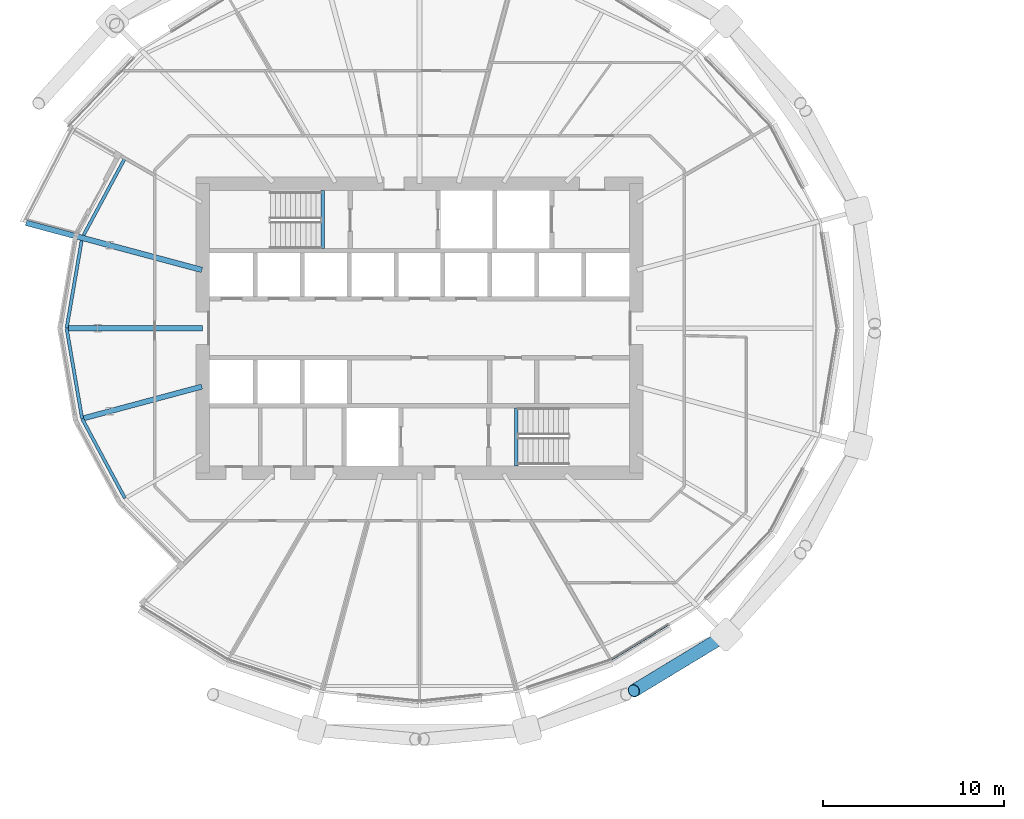
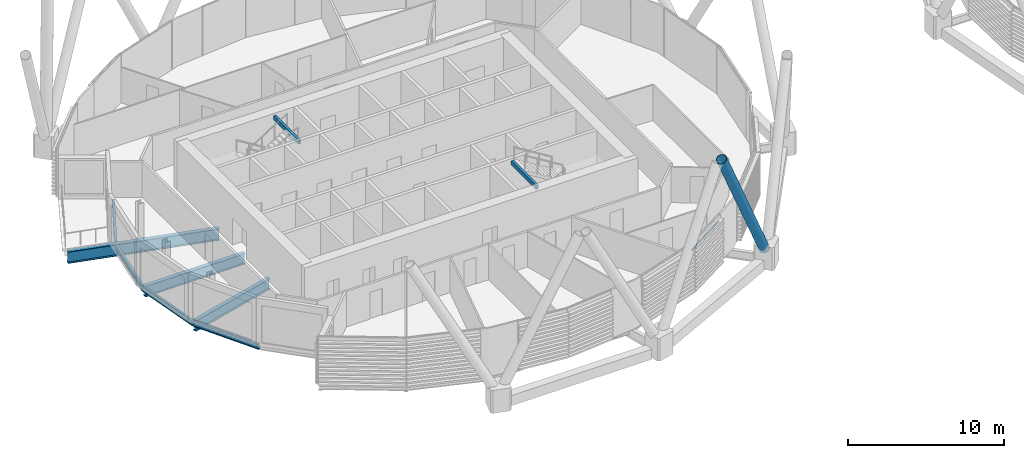
# One storey, part 5 of 39: 9 beams, 2 members, 1 element without a shape of its own.
"""IFC4 building model written with IfcOpenShell, lengths in metres."""

import ifcopenshell
import ifcopenshell.guid

model = None  # the IFC model being written
_history = None  # IfcOwnerHistory: only IFC2X3 demands one
_inside = {}  # id of a spatial element -> (the spatial element, [elements in it])
_under = {}  # id of a project, library or spatial element -> (it, [spatial elements below it])
_declared = {}  # id of a project -> (the project, [libraries it declares])
_typed = {}  # id of a type object -> (the type object, [elements of that type])
_made_of = {}  # id of a material, layer set ... -> (it, [elements and type objects made of it])


def new_model(schema):
    """Start an empty IFC model of exactly this schema.

    Asked for "IFC4X3", IfcOpenShell would pick the latest addendum, in which some entities
    have other attributes; the version numbers below select the first issue.
    IFC2X3 requires an IfcOwnerHistory on every rooted entity: one is made here for all.
    """
    global model, _history
    if schema == "IFC4X3":
        model = ifcopenshell.file(schema_version=(4, 3, 0, 0))
    else:
        model = ifcopenshell.file(schema=schema)
    _inside.clear()
    _under.clear()
    _declared.clear()
    _typed.clear()
    _made_of.clear()
    _history = None
    if model.schema == "IFC2X3":
        org = make("IfcOrganization", Name="unknown")
        user = make(
            "IfcPersonAndOrganization",
            ThePerson=make("IfcPerson", FamilyName="unknown"),
            TheOrganization=org,
        )
        app = make(
            "IfcApplication",
            ApplicationDeveloper=org,
            Version="unknown",
            ApplicationFullName="unknown",
            ApplicationIdentifier="unknown",
        )
        _history = make(
            "IfcOwnerHistory",
            OwningUser=user,
            OwningApplication=app,
            ChangeAction="ADDED",
            CreationDate=0,
        )
    return model


def make(cls, **values):
    """One entity of the class cls with the attributes given. An attribute that is None is left unset."""
    return model.create_entity(
        cls, **{name: value for name, value in values.items() if value is not None}
    )


def rooted(cls, **values):
    """An entity with a GlobalId (a new one), such as an element, a storey or a relation."""
    return make(cls, GlobalId=ifcopenshell.guid.new(), OwnerHistory=_history, **values)


def si_unit(unit_type, name, prefix=None):
    """IfcSIUnit, for example si_unit("LENGTHUNIT", "METRE", prefix="MILLI")."""
    return make("IfcSIUnit", UnitType=unit_type, Prefix=prefix, Name=name)


def assignment(units):
    """IfcUnitAssignment: the units of a project."""
    return None if units is None else make("IfcUnitAssignment", Units=units)


def point(xyz):
    """IfcCartesianPoint."""
    return None if xyz is None else make("IfcCartesianPoint", Coordinates=xyz)


def direction(xyz):
    """IfcDirection."""
    return None if xyz is None else make("IfcDirection", DirectionRatios=xyz)


def frame(location, z_axis=None, x_axis=None):
    """IfcAxis2Placement3D, a coordinate frame: its origin and axes. An axis left out is left unset."""
    return make(
        "IfcAxis2Placement3D",
        Location=point(location),
        Axis=direction(z_axis),
        RefDirection=direction(x_axis),
    )


def frame_2d(location, x_axis=None):
    """IfcAxis2Placement2D, a coordinate frame in the plane: its origin and x axis."""
    return make(
        "IfcAxis2Placement2D", Location=point(location), RefDirection=direction(x_axis)
    )


def origin():
    """The frame at (0, 0, 0) with its axes left unset."""
    return frame((0.0, 0.0, 0.0))


def origin_2d():
    """The frame at (0, 0) in the plane with its x axis left unset."""
    return frame_2d((0.0, 0.0))


def place(relative_to, where):
    """IfcLocalPlacement: puts the frame where relative to a parent placement (None: the world)."""
    return make(
        "IfcLocalPlacement", PlacementRelTo=relative_to, RelativePlacement=where
    )


def context(
    kind, dimensions, precision=None, world=None, true_north=None, identifier=None
):
    """IfcGeometricRepresentationContext, for example the 3D "Model" context."""
    return make(
        "IfcGeometricRepresentationContext",
        ContextIdentifier=identifier,
        ContextType=kind,
        CoordinateSpaceDimension=dimensions,
        Precision=precision,
        WorldCoordinateSystem=world,
        TrueNorth=true_north,
    )


def subcontext(parent, identifier, kind, view, scale=None):
    """IfcGeometricRepresentationSubContext, for example "Body" below "Model"."""
    return make(
        "IfcGeometricRepresentationSubContext",
        ContextIdentifier=identifier,
        ContextType=kind,
        ParentContext=parent,
        TargetScale=scale,
        TargetView=view,
    )


def project(units=None, contexts=None):
    """IfcProject with its units and contexts."""
    return rooted(
        "IfcProject",
        Name="project",
        RepresentationContexts=contexts,
        UnitsInContext=assignment(units),
    )


def spatial(cls, under=None, at=None, **own):
    """A site, building, storey or space (cls), placed at a placement, below another one or the project."""
    s = rooted(cls, ObjectPlacement=at, **own)
    if under is not None:
        _under.setdefault(under.id(), (under, []))[1].append(s)
    return s


def profile(cls, at=None, kind="AREA", **sizes):
    """A parametric profile (cls). Its sizes go by their IFC names, for example OverallWidth=200.0."""
    return make(cls, ProfileType=kind, Position=at, **sizes)


def rectangle(**sizes):
    """IfcRectangleProfileDef."""
    return profile("IfcRectangleProfileDef", **sizes)


def hollow_rectangle(**sizes):
    """IfcRectangleHollowProfileDef."""
    return profile("IfcRectangleHollowProfileDef", **sizes)


def hollow_circle(**sizes):
    """IfcCircleHollowProfileDef."""
    return profile("IfcCircleHollowProfileDef", **sizes)


def i_section(**sizes):
    """IfcIShapeProfileDef."""
    return profile("IfcIShapeProfileDef", **sizes)


def extrude(swept, where, along, depth):
    """IfcExtrudedAreaSolid: the profile swept, set in the frame where, extruded along a direction by depth."""
    return make(
        "IfcExtrudedAreaSolid",
        SweptArea=swept,
        Position=where,
        ExtrudedDirection=direction(along),
        Depth=depth,
    )


def shape(context_of_items, identifier, shape_type, items):
    """IfcShapeRepresentation: the items that make up one representation, for example the "Body"."""
    return make(
        "IfcShapeRepresentation",
        ContextOfItems=context_of_items,
        RepresentationIdentifier=identifier,
        RepresentationType=shape_type,
        Items=items,
    )


def material(Name=None, Category=None):
    """IfcMaterial."""
    return make("IfcMaterial", Name=Name, Category=Category)


def material_profile(
    of_material, cross_section, Name=None, Category=None, Priority=None
):
    """IfcMaterialProfile: a cross section and its material."""
    return make(
        "IfcMaterialProfile",
        Name=Name,
        Material=of_material,
        Profile=cross_section,
        Priority=Priority,
        Category=Category,
    )


def profile_set(profiles, Name=None, composite=None):
    """IfcMaterialProfileSet."""
    return make(
        "IfcMaterialProfileSet",
        Name=Name,
        MaterialProfiles=profiles,
        CompositeProfile=composite,
    )


def made_of(thing, what):
    """Note that an element or type object is made of a material, layer set ...; save() writes the relation."""
    if what is not None:
        _made_of.setdefault(what.id(), (what, []))[1].append(thing)
    return thing


def type_object(cls, material=None, **own):
    """A type object (cls), such as IfcWallType, which elements share."""
    return made_of(rooted(cls, **own), material)


def element(
    cls,
    number,
    at=None,
    inside=None,
    cuts=None,
    type_object=None,
    material=None,
    context=None,
    identifier="Body",
    shape_type=None,
    held_by="IfcProductDefinitionShape",
    body=None,
    shapes=None,
    **own,
):
    """One element of the class cls, such as IfcWall. Its Tag is "e" and its number.

    at: its placement. inside: the storey or other place that contains it. cuts: it is an
    opening in that element (IfcRelVoidsElement). A single representation is given by context,
    identifier, shape_type and body (its items); several are given by shapes. held_by: the class
    of the entity that holds the representations. save() writes the other relations.
    """
    e = rooted(cls, Tag="e%d" % number, ObjectPlacement=at, **own)
    if body is not None:
        shapes = [shape(context, identifier, shape_type, body)]
    if shapes is not None:
        e.Representation = make(held_by, Representations=shapes)
    if inside is not None:
        _inside.setdefault(inside.id(), (inside, []))[1].append(e)
    if cuts is not None:
        rooted(
            "IfcRelVoidsElement", RelatingBuildingElement=cuts, RelatedOpeningElement=e
        )
    if type_object is not None:
        _typed.setdefault(type_object.id(), (type_object, []))[1].append(e)
    return made_of(e, material)


def aggregate(whole, parts):
    """IfcRelAggregates: a whole, such as a stair, and the parts it consists of."""
    return rooted("IfcRelAggregates", RelatingObject=whole, RelatedObjects=parts)


def save(model, path):
    """Write the relations noted so far, then the file.

    IfcRelAggregates (storeys below a building ...), IfcRelContainedInSpatialStructure (elements
    in a storey), IfcRelDefinesByType, IfcRelAssociatesMaterial and IfcRelDeclares: one each for
    every whole, place, type object, material and project.
    """
    for whole, parts in _under.values():
        aggregate(whole, parts)
    for where, things in _inside.values():
        rooted(
            "IfcRelContainedInSpatialStructure",
            RelatedElements=things,
            RelatingStructure=where,
        )
    for kind, things in _typed.values():
        rooted("IfcRelDefinesByType", RelatedObjects=things, RelatingType=kind)
    for what, things in _made_of.values():
        rooted("IfcRelAssociatesMaterial", RelatedObjects=things, RelatingMaterial=what)
    for by, libraries in _declared.values():
        rooted("IfcRelDeclares", RelatingContext=by, RelatedDefinitions=libraries)
    model.write(path)


model = new_model("IFC4")

# Units and contexts
model_context = context("Model", 3, precision=1e-05, world=origin(), true_north=direction((0.0, 1.0)))
body_context = subcontext(model_context, "Body", "Model", "MODEL_VIEW")
ifc_project = project(units=[si_unit("LENGTHUNIT", "METRE"), si_unit("AREAUNIT", "SQUARE_METRE"), si_unit("VOLUMEUNIT", "CUBIC_METRE"), si_unit("PLANEANGLEUNIT", "RADIAN"), si_unit("MASSUNIT", "GRAM", prefix="KILO")], contexts=[model_context])

# Site, building, storey
site_placement = place(None, origin())
site = spatial("IfcSite", under=ifc_project, at=site_placement, CompositionType="ELEMENT")
building_placement = place(site_placement, origin())
building = spatial("IfcBuilding", under=site, at=building_placement, Name="Rimbun Link Towers", CompositionType="ELEMENT")
storey_placement = place(building_placement, frame((0.0, 0.0, 115.800048828125)))
storey = spatial("IfcBuildingStorey", under=building, at=storey_placement, Name="L28", CompositionType="ELEMENT", Elevation=115.800048828125)

# Curtain wall, member
ifc_material_1 = material(Name="Aluminium 6063-T6 and low-iron glass", Category="aluminium")
curtain_wall_type = type_object("IfcCurtainWallType", Name="CW1-Z2 unitised vision wall (zone 2)", PredefinedType="NOTDEFINED", material=ifc_material_1)
curtain_wall_placement = place(storey_placement, origin())
curtain_wall = element("IfcCurtainWall", 1, at=curtain_wall_placement, inside=storey, type_object=curtain_wall_type, Name="CW1 L28 T1", PredefinedType="NOTDEFINED")
ifc_material_2 = material(Name="Aluminium 6063-T6", Category="aluminium")
ifc_material_profile_1 = material_profile(ifc_material_2, rectangle(XDim=0.06005859375, YDim=0.1201171875, at=origin_2d()), Name="TRANSOM 60X120")
ifc_profile_set_1 = profile_set([ifc_material_profile_1], Name="Aluminium 6063-T6")
member_type_1 = type_object("IfcMemberType", Name="CW1 transom 60X120", PredefinedType="USERDEFINED", material=ifc_profile_set_1)
member_1_placement = place(storey_placement, frame((-17.998779296875, -16.4248046875, 3.199951171875), z_axis=(-0.852165495326, -0.523272365576, 0.0), x_axis=(0.523272365576, -0.852165495326, 0.0)))
member_1 = element("IfcMember", 2, at=member_1_placement, type_object=member_type_1, Name="CW1 transom", ObjectType="TRANSOM", PredefinedType="USERDEFINED", context=body_context, shape_type="SweptSolid", body=[
    extrude(rectangle(XDim=0.06005859375, YDim=0.1201171875, at=origin_2d()), origin(), (0.0, 0.0, 1.0), 3.666259765625),
])
aggregate(curtain_wall, [member_1])

# Member
ifc_material_3 = material(Name="Steel S460NH", Category="steel")
ifc_material_profile_2 = material_profile(ifc_material_3, hollow_circle(Radius=0.355712890625, WallThickness=0.031982421875, at=origin_2d()), Name="Diagrid diagonal CHS 711x32")
ifc_profile_set_2 = profile_set([ifc_material_profile_2], Name="Steel S460NH")
member_type_2 = type_object("IfcMemberType", Name="Diagrid diagonal CHS 711x32", PredefinedType="BRACE", material=ifc_profile_set_2)
member_2_placement = place(storey_placement, frame((-14.997802734375, -17.08056640625, 0.43896484375), z_axis=(-0.408995593079, -0.247871177032, 0.878226898038), x_axis=(0.518294161514, -0.855202410041, 0.0)))
element("IfcMember", 3, at=member_2_placement, inside=storey, type_object=member_type_2, Name="Diagrid diagonal T1 L28-L31 21a", PredefinedType="BRACE", context=body_context, shape_type="SweptSolid", body=[
    extrude(hollow_circle(Radius=0.355712890625, WallThickness=0.031982421875, at=origin_2d()), origin(), (0.0, 0.0, 1.0), 11.98095703125),
])

# Beams
ifc_material_4 = material(Name="Steel S355J2", Category="steel")
ifc_material_profile_3 = material_profile(ifc_material_4, hollow_rectangle(XDim=0.199951171875, YDim=0.300048828125, WallThickness=0.011962890625, at=origin_2d()), Name="BOX 300x200x12")
ifc_profile_set_3 = profile_set([ifc_material_profile_3], Name="Steel S355J2")
beam_type_1 = type_object("IfcBeamType", Name="Stair trimmer beam BOX 300x200x12", PredefinedType="BEAM", material=ifc_profile_set_3)
for number, where, z_axis, x_axis, name in (
    (4, (-37.10009765625, 7.625, 3.489990234375), (0.0, -1.0, 0.0), (1.0, 0.0, 0.0), "L28 ST1 stair beam 1"),
    (5, (-26.39990234375, -7.625, 3.489990234375), (0.0, 1.0, 0.0), (-1.0, 0.0, 0.0), "L28 ST2 stair beam 1"),
):
    element("IfcBeam", number, at=place(storey_placement, frame(where, z_axis=z_axis, x_axis=x_axis)), inside=storey, type_object=beam_type_1, Name=name, PredefinedType="BEAM", context=body_context, shape_type="SweptSolid", body=[
        extrude(hollow_rectangle(XDim=0.199951171875, YDim=0.300048828125, WallThickness=0.011962890625, at=origin_2d()), origin(), (0.0, 0.0, 1.0), 3.22509765625),
    ])
ifc_material_5 = material(Name="Steel S355J2", Category="steel")
ifc_material_profile_4 = material_profile(ifc_material_5, i_section(OverallWidth=0.177978515625, OverallDepth=0.406494140625, WebThickness=0.0078125, FlangeThickness=0.0126953125, at=origin_2d()), Name="UB 406x178x60")
ifc_profile_set_4 = profile_set([ifc_material_profile_4], Name="Steel S355J2")
beam_type_2 = type_object("IfcBeamType", Name="UB 406x178x60", PredefinedType="BEAM", material=ifc_profile_set_4)
beam_1_placement = place(storey_placement, frame((-48.060302734375, 9.371337890625, -0.36328125), z_axis=(-0.473752882927, -0.880657825673, 0.0), x_axis=(0.880657825673, -0.473752882927, 0.0)))
element("IfcBeam", 6, at=beam_1_placement, inside=storey, type_object=beam_type_2, Name="Edge beam T1 L28 10 recess", PredefinedType="BEAM", context=body_context, shape_type="SweptSolid", body=[
    extrude(i_section(OverallWidth=0.177978515625, OverallDepth=0.406494140625, WebThickness=0.0078125, FlangeThickness=0.0126953125, at=origin_2d()), origin(), (0.0, 0.0, 1.0), 4.784423828125),
])
beam_2_placement = place(storey_placement, frame((-50.439208984375, 4.840087890625, -0.36328125), z_axis=(-0.168660581772, -0.985674189657, 0.0), x_axis=(0.985674189657, -0.168660581772, 0.0)))
element("IfcBeam", 7, at=beam_2_placement, inside=storey, type_object=beam_type_2, Name="Edge beam T1 L28 11 recess", PredefinedType="BEAM", context=body_context, shape_type="SweptSolid", body=[
    extrude(i_section(OverallWidth=0.177978515625, OverallDepth=0.406494140625, WebThickness=0.0078125, FlangeThickness=0.0126953125, at=origin_2d()), origin(), (0.0, 0.0, 1.0), 4.89404296875),
])
beam_3_placement = place(storey_placement, frame((-51.2646484375, -0.01611328125, -0.36328125), z_axis=(0.168677498166, -0.985671294911, 0.0), x_axis=(0.985671294911, 0.168677498166, 0.0)))
element("IfcBeam", 8, at=beam_3_placement, inside=storey, type_object=beam_type_2, Name="Edge beam T1 L28 12 recess", PredefinedType="BEAM", context=body_context, shape_type="SweptSolid", body=[
    extrude(i_section(OverallWidth=0.177978515625, OverallDepth=0.406494140625, WebThickness=0.0078125, FlangeThickness=0.0126953125, at=origin_2d()), origin(), (0.0, 0.0, 1.0), 5.041259765625),
])
beam_4_placement = place(storey_placement, frame((-50.404296875, -5.01416015625, -0.36328125), z_axis=(0.473798255027, -0.880633416089, 0.0), x_axis=(0.880633416089, 0.473798255027, 0.0)))
element("IfcBeam", 9, at=beam_4_placement, inside=storey, type_object=beam_type_2, Name="Edge beam T1 L28 13 recess", PredefinedType="BEAM", context=body_context, shape_type="SweptSolid", body=[
    extrude(i_section(OverallWidth=0.177978515625, OverallDepth=0.406494140625, WebThickness=0.0078125, FlangeThickness=0.0126953125, at=origin_2d()), origin(), (0.0, 0.0, 1.0), 4.972900390625),
])
ifc_material_6 = material(Name="Steel S355J2", Category="steel")
ifc_material_profile_5 = material_profile(ifc_material_6, i_section(OverallWidth=0.29248046875, OverallDepth=0.8408203125, WebThickness=0.0126953125, FlangeThickness=0.021728515625, at=origin_2d()), Name="UB 838x292x194")
ifc_profile_set_5 = profile_set([ifc_material_profile_5], Name="Steel S355J2")
beam_type_3 = type_object("IfcBeamType", Name="UB 838x292x194", PredefinedType="BEAM", material=ifc_profile_set_5)
beam_5_placement = place(storey_placement, frame((-43.7509765625, 0.0, -0.580322265625), z_axis=(-1.0, 0.0, 0.0), x_axis=(0.0, -1.0, 0.0)))
element("IfcBeam", 10, at=beam_5_placement, inside=storey, type_object=beam_type_3, Name="Radial beam T1 L28 12", PredefinedType="BEAM", context=body_context, shape_type="SweptSolid", body=[
    extrude(i_section(OverallWidth=0.29248046875, OverallDepth=0.8408203125, WebThickness=0.0126953125, FlangeThickness=0.021728515625, at=origin_2d()), origin(), (0.0, 0.0, 1.0), 7.426513671875),
])
beam_6_placement = place(storey_placement, frame((-43.788818359375, -3.225830078125, -0.580322265625), z_axis=(-0.965928242155, -0.258810028799, 0.0), x_axis=(0.258810028799, -0.965928242155, 0.0)))
element("IfcBeam", 11, at=beam_6_placement, inside=storey, type_object=beam_type_3, Name="Radial beam T1 L28 13", PredefinedType="BEAM", context=body_context, shape_type="SweptSolid", body=[
    extrude(i_section(OverallWidth=0.29248046875, OverallDepth=0.8408203125, WebThickness=0.0126953125, FlangeThickness=0.021728515625, at=origin_2d()), origin(), (0.0, 0.0, 1.0), 6.766357421875),
])
ifc_material_7 = material(Name="Steel S355J2", Category="steel")
ifc_material_profile_6 = material_profile(ifc_material_7, i_section(OverallWidth=0.305419921875, OverallDepth=0.91845703125, WebThickness=0.017333984375, FlangeThickness=0.02783203125, at=origin_2d()), Name="UB 914x305x253")
ifc_profile_set_6 = profile_set([ifc_material_profile_6], Name="Steel S355J2")
beam_type_4 = type_object("IfcBeamType", Name="UB 914x305x253", PredefinedType="BEAM", material=ifc_profile_set_6)
beam_7_placement = place(storey_placement, frame((-43.79052734375, 3.226318359375, -0.619140625), z_axis=(-0.965929859648, 0.258803991931, 0.0), x_axis=(-0.258803991931, -0.965929859648, 0.0)))
element("IfcBeam", 12, at=beam_7_placement, inside=storey, type_object=beam_type_4, Name="Radial beam T1 L28 11", PredefinedType="BEAM", context=body_context, shape_type="SweptSolid", body=[
    extrude(i_section(OverallWidth=0.305419921875, OverallDepth=0.91845703125, WebThickness=0.017333984375, FlangeThickness=0.02783203125, at=origin_2d()), origin(), (0.0, 0.0, 1.0), 10.0634765625),
])

save(model, "model.ifc")
